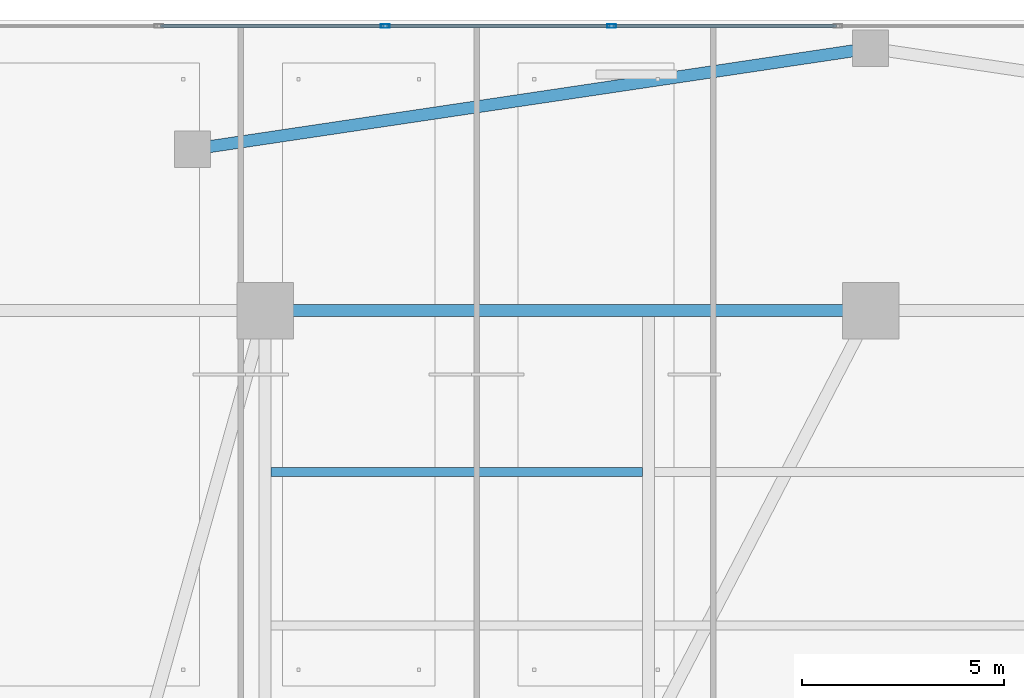
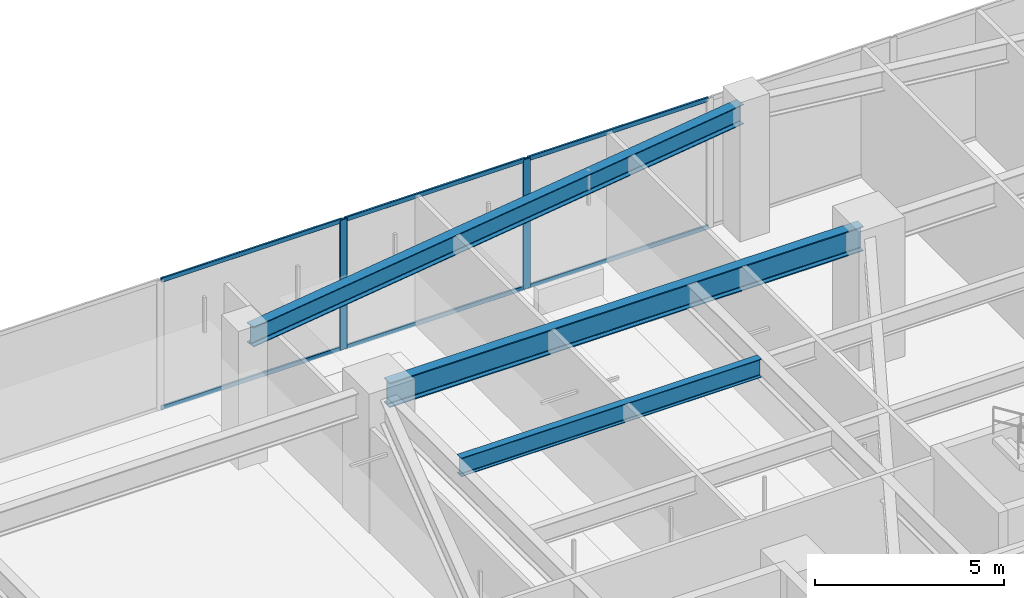
# One storey, part 10 of 29: 8 members, 3 beams, 1 element without a shape of its own.
"""IFC4 building model written with IfcOpenShell, lengths in metres."""

from ifc_helpers import new_model, si_unit, direction, frame, origin, origin_2d, place, context, subcontext, project, spatial, hollow_rectangle, i_section, extrude, material, layer, layer_set, material_profile, profile_set, type_object, element, aggregate, save


model = new_model("IFC4")

# Units and contexts
model_context = context("Model", 3, precision=1e-05, world=origin(), true_north=direction((0.0, 1.0)))
body_context = subcontext(model_context, "Body", "Model", "MODEL_VIEW")
ifc_project = project(units=[si_unit("LENGTHUNIT", "METRE"), si_unit("AREAUNIT", "SQUARE_METRE"), si_unit("VOLUMEUNIT", "CUBIC_METRE"), si_unit("PLANEANGLEUNIT", "RADIAN"), si_unit("MASSUNIT", "GRAM", prefix="KILO")], contexts=[model_context])

# Site, building, storey
site_placement = place(None, origin())
site = spatial("IfcSite", under=ifc_project, at=site_placement, CompositionType="ELEMENT")
building_placement = place(site_placement, origin())
building = spatial("IfcBuilding", under=site, at=building_placement, Name="Tarnavaz Court Tower", CompositionType="ELEMENT")
storey_placement = place(building_placement, frame((0.0, 0.0, 5.39990234375)))
storey = spatial("IfcBuildingStorey", under=building, at=storey_placement, Name="L01", CompositionType="ELEMENT", Elevation=5.39990234375)

# Beams
ifc_material_1 = material(Name="Steel S355", Category="steel")
ifc_material_profile_1 = material_profile(ifc_material_1, i_section(OverallWidth=0.300048828125, OverallDepth=0.800048828125, WebThickness=0.017578125, FlangeThickness=0.032958984375, FilletRadius=0.030029296875, at=origin_2d()), Name="HEB 800")
ifc_profile_set_1 = profile_set([ifc_material_profile_1], Name="Steel S355")
beam_type_1 = type_object("IfcBeamType", Name="BM-G-HEB800", PredefinedType="USERDEFINED", material=ifc_profile_set_1)
beam_1_placement = place(storey_placement, frame((-14.75, 22.800048828125, 3.800048828125), z_axis=(1.0, 0.0, 0.0), x_axis=(0.0, 1.0, 0.0)))
element("IfcBeam", 1, at=beam_1_placement, inside=storey, type_object=beam_type_1, Name="L01 Beam PM-PM-N1-PM-N2", ObjectType="GIRDER", PredefinedType="USERDEFINED", context=body_context, shape_type="SweptSolid", body=[
    extrude(i_section(OverallWidth=0.300048828125, OverallDepth=0.800048828125, WebThickness=0.017578125, FlangeThickness=0.032958984375, FilletRadius=0.030029296875, at=origin_2d()), origin(), (0.0, 0.0, 1.0), 14.5),
])
ifc_material_profile_2 = material_profile(ifc_material_1, i_section(OverallWidth=0.219970703125, OverallDepth=0.60009765625, WebThickness=0.011962890625, FlangeThickness=0.01904296875, FilletRadius=0.02392578125, at=origin_2d()), Name="IPE 600")
ifc_profile_set_2 = profile_set([ifc_material_profile_2], Name="Steel S355")
beam_type_2 = type_object("IfcBeamType", Name="BM-J-IPE600", PredefinedType="JOIST", material=ifc_profile_set_2)
beam_2_placement = place(storey_placement, frame((-14.85009765625, 18.800048828125, 3.900146484375), z_axis=(1.0, 0.0, 0.0), x_axis=(0.0, 1.0, 0.0)))
element("IfcBeam", 2, at=beam_2_placement, inside=storey, type_object=beam_type_2, Name="L01 Beam PJN-2-1", PredefinedType="JOIST", context=body_context, shape_type="SweptSolid", body=[
    extrude(i_section(OverallWidth=0.219970703125, OverallDepth=0.60009765625, WebThickness=0.011962890625, FlangeThickness=0.01904296875, FilletRadius=0.02392578125, at=origin_2d()), origin(), (0.0, 0.0, 1.0), 9.2001953125),
])
ifc_material_profile_3 = material_profile(ifc_material_1, i_section(OverallWidth=0.300048828125, OverallDepth=0.639892578125, WebThickness=0.013427734375, FlangeThickness=0.02587890625, FilletRadius=0.027099609375, at=origin_2d()), Name="HEA 650")
ifc_profile_set_3 = profile_set([ifc_material_profile_3], Name="Steel S355")
beam_type_3 = type_object("IfcBeamType", Name="BM-SP-HEA650", PredefinedType="SPANDREL", material=ifc_profile_set_3)
beam_3_placement = place(storey_placement, frame((-16.602294921875, 26.829345703125, 3.880126953125), z_axis=(0.989108332922, 0.147189353368, 0.0), x_axis=(-0.147189353368, 0.989108332922, 0.0)))
element("IfcBeam", 3, at=beam_3_placement, inside=storey, type_object=beam_type_3, Name="L01 Beam PR-POD-N1-POD-N2", PredefinedType="SPANDREL", context=body_context, shape_type="SweptSolid", body=[
    extrude(i_section(OverallWidth=0.300048828125, OverallDepth=0.639892578125, WebThickness=0.013427734375, FlangeThickness=0.02587890625, FilletRadius=0.027099609375, at=origin_2d()), origin(), (0.0, 0.0, 1.0), 16.585205078125),
])

# Curtain wall, members
ifc_material_2 = material(Name="Anodised Aluminium 6063-T6 and Solar Low-E Glazing", Category="aluminium")
ifc_layer = layer(ifc_material_2, 0.18994140625)
ifc_layer_set = layer_set([ifc_layer], Name="Anodised Aluminium 6063-T6 and Solar Low-E Glazing")
curtain_wall_type = type_object("IfcCurtainWallType", Name="CW-SYS-01", PredefinedType="NOTDEFINED", material=ifc_layer_set)
curtain_wall_placement = place(storey_placement, origin())
curtain_wall = element("IfcCurtainWall", 4, at=curtain_wall_placement, inside=storey, type_object=curtain_wall_type, Name="L01 Clinic Podium Curtain Wall 1", PredefinedType="NOTDEFINED")
ifc_material_3 = material(Name="Anodised Aluminium 6063-T6", Category="aluminium")
ifc_material_profile_4 = material_profile(ifc_material_3, hollow_rectangle(XDim=0.0849609375, YDim=0.219970703125, WallThickness=0.006103515625, InnerFilletRadius=0.006103515625, OuterFilletRadius=0.011962890625, at=origin_2d()), Name="ALU RHS 220X85X6")
ifc_profile_set_4 = profile_set([ifc_material_profile_4], Name="Anodised Aluminium 6063-T6")
member_type_1 = type_object("IfcMemberType", Name="CW-MUL-220", PredefinedType="MULLION", material=ifc_profile_set_4)
member_1_placement = place(storey_placement, frame((-12.022705078125, 29.85009765625, 0.0), z_axis=(0.0, 0.0, 1.0), x_axis=(0.0, 1.0, 0.0)))
member_1 = element("IfcMember", 5, at=member_1_placement, type_object=member_type_1, Name="CW mullion 4", PredefinedType="MULLION", context=body_context, shape_type="SweptSolid", body=[
    extrude(hollow_rectangle(XDim=0.0849609375, YDim=0.219970703125, WallThickness=0.006103515625, InnerFilletRadius=0.006103515625, OuterFilletRadius=0.011962890625, at=origin_2d()), origin(), (0.0, 0.0, 1.0), 4.2001953125),
])
member_2_placement = place(storey_placement, frame((-6.41357421875, 29.85009765625, 0.0), z_axis=(0.0, 0.0, 1.0), x_axis=(0.0, 1.0, 0.0)))
member_2 = element("IfcMember", 6, at=member_2_placement, type_object=member_type_1, Name="CW mullion 5", PredefinedType="MULLION", context=body_context, shape_type="SweptSolid", body=[
    extrude(hollow_rectangle(XDim=0.0849609375, YDim=0.219970703125, WallThickness=0.006103515625, InnerFilletRadius=0.006103515625, OuterFilletRadius=0.011962890625, at=origin_2d()), origin(), (0.0, 0.0, 1.0), 4.2001953125),
])
ifc_material_profile_5 = material_profile(ifc_material_3, hollow_rectangle(XDim=0.06494140625, YDim=0.139892578125, WallThickness=0.00390625, InnerFilletRadius=0.00390625, OuterFilletRadius=0.008056640625, at=origin_2d()), Name="ALU RHS 140X65X4")
ifc_profile_set_5 = profile_set([ifc_material_profile_5], Name="Anodised Aluminium 6063-T6")
member_type_2 = type_object("IfcMemberType", Name="CW-TRN-140", PredefinedType="USERDEFINED", material=ifc_profile_set_5)
member_3_placement = place(storey_placement, frame((-17.58935546875, 29.85009765625, 0.03271484375), z_axis=(1.0, 0.0, 0.0), x_axis=(0.0, 1.0, 0.0)))
member_3 = element("IfcMember", 7, at=member_3_placement, type_object=member_type_2, Name="CW transom 3.1", ObjectType="TRANSOM", PredefinedType="USERDEFINED", context=body_context, shape_type="SweptSolid", body=[
    extrude(hollow_rectangle(XDim=0.06494140625, YDim=0.139892578125, WallThickness=0.00390625, InnerFilletRadius=0.00390625, OuterFilletRadius=0.008056640625, at=origin_2d()), origin(), (0.0, 0.0, 1.0), 5.524169921875),
])
member_4_placement = place(storey_placement, frame((-17.58935546875, 29.85009765625, 4.16748046875), z_axis=(1.0, 0.0, 0.0), x_axis=(0.0, 1.0, 0.0)))
member_4 = element("IfcMember", 8, at=member_4_placement, type_object=member_type_2, Name="CW transom 3.2", ObjectType="TRANSOM", PredefinedType="USERDEFINED", context=body_context, shape_type="SweptSolid", body=[
    extrude(hollow_rectangle(XDim=0.06494140625, YDim=0.139892578125, WallThickness=0.00390625, InnerFilletRadius=0.00390625, OuterFilletRadius=0.008056640625, at=origin_2d()), origin(), (0.0, 0.0, 1.0), 5.524169921875),
])
member_5_placement = place(storey_placement, frame((-11.980224609375, 29.85009765625, 0.03271484375), z_axis=(1.0, 0.0, 0.0), x_axis=(0.0, 1.0, 0.0)))
member_5 = element("IfcMember", 9, at=member_5_placement, type_object=member_type_2, Name="CW transom 4.1", ObjectType="TRANSOM", PredefinedType="USERDEFINED", context=body_context, shape_type="SweptSolid", body=[
    extrude(hollow_rectangle(XDim=0.06494140625, YDim=0.139892578125, WallThickness=0.00390625, InnerFilletRadius=0.00390625, OuterFilletRadius=0.008056640625, at=origin_2d()), origin(), (0.0, 0.0, 1.0), 5.524169921875),
])
member_6_placement = place(storey_placement, frame((-11.980224609375, 29.85009765625, 4.16748046875), z_axis=(1.0, 0.0, 0.0), x_axis=(0.0, 1.0, 0.0)))
member_6 = element("IfcMember", 10, at=member_6_placement, type_object=member_type_2, Name="CW transom 4.2", ObjectType="TRANSOM", PredefinedType="USERDEFINED", context=body_context, shape_type="SweptSolid", body=[
    extrude(hollow_rectangle(XDim=0.06494140625, YDim=0.139892578125, WallThickness=0.00390625, InnerFilletRadius=0.00390625, OuterFilletRadius=0.008056640625, at=origin_2d()), origin(), (0.0, 0.0, 1.0), 5.524169921875),
])
member_7_placement = place(storey_placement, frame((-6.37109375, 29.85009765625, 0.03271484375), z_axis=(1.0, 0.0, 0.0), x_axis=(0.0, 1.0, 0.0)))
member_7 = element("IfcMember", 11, at=member_7_placement, type_object=member_type_2, Name="CW transom 5.1", ObjectType="TRANSOM", PredefinedType="USERDEFINED", context=body_context, shape_type="SweptSolid", body=[
    extrude(hollow_rectangle(XDim=0.06494140625, YDim=0.139892578125, WallThickness=0.00390625, InnerFilletRadius=0.00390625, OuterFilletRadius=0.008056640625, at=origin_2d()), origin(), (0.0, 0.0, 1.0), 5.524169921875),
])
member_8_placement = place(storey_placement, frame((-6.37109375, 29.85009765625, 4.16748046875), z_axis=(1.0, 0.0, 0.0), x_axis=(0.0, 1.0, 0.0)))
member_8 = element("IfcMember", 12, at=member_8_placement, type_object=member_type_2, Name="CW transom 5.2", ObjectType="TRANSOM", PredefinedType="USERDEFINED", context=body_context, shape_type="SweptSolid", body=[
    extrude(hollow_rectangle(XDim=0.06494140625, YDim=0.139892578125, WallThickness=0.00390625, InnerFilletRadius=0.00390625, OuterFilletRadius=0.008056640625, at=origin_2d()), origin(), (0.0, 0.0, 1.0), 5.524169921875),
])
aggregate(curtain_wall, [member_1, member_2, member_3, member_4, member_5, member_6, member_7, member_8])

save(model, "model.ifc")
